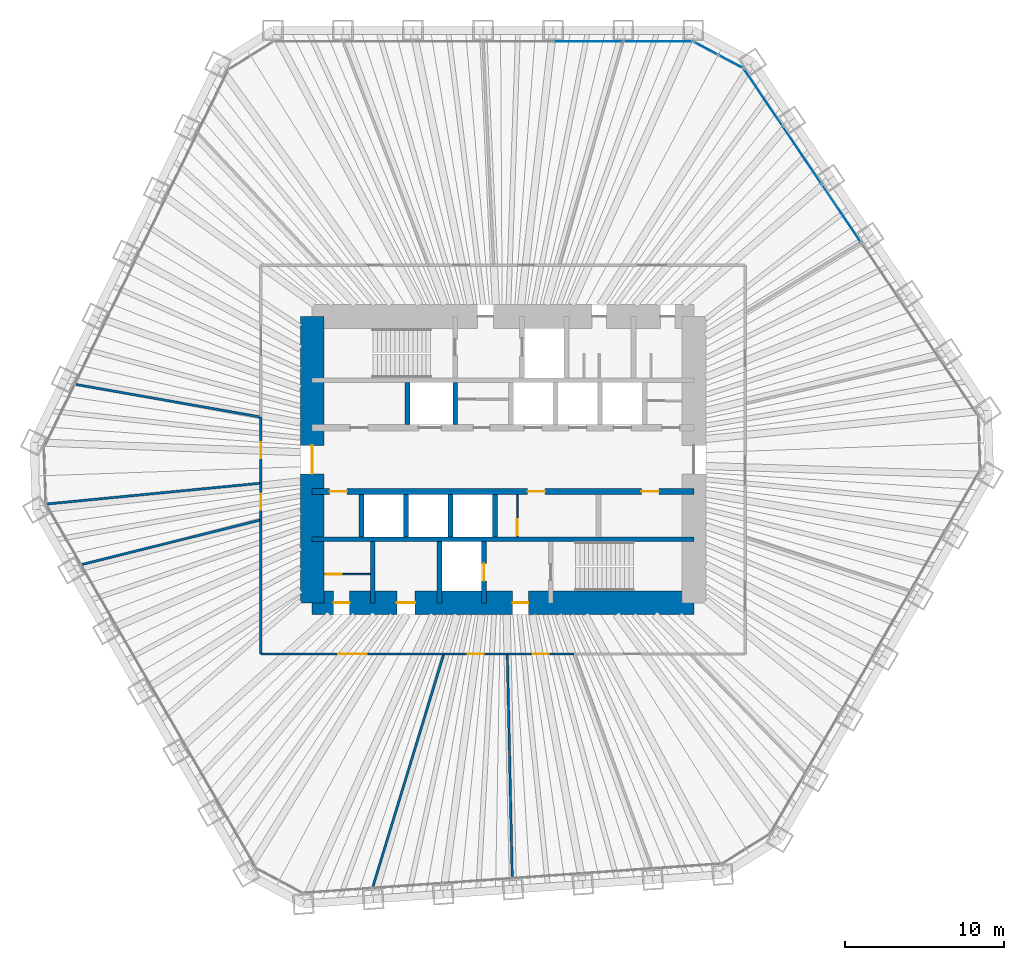
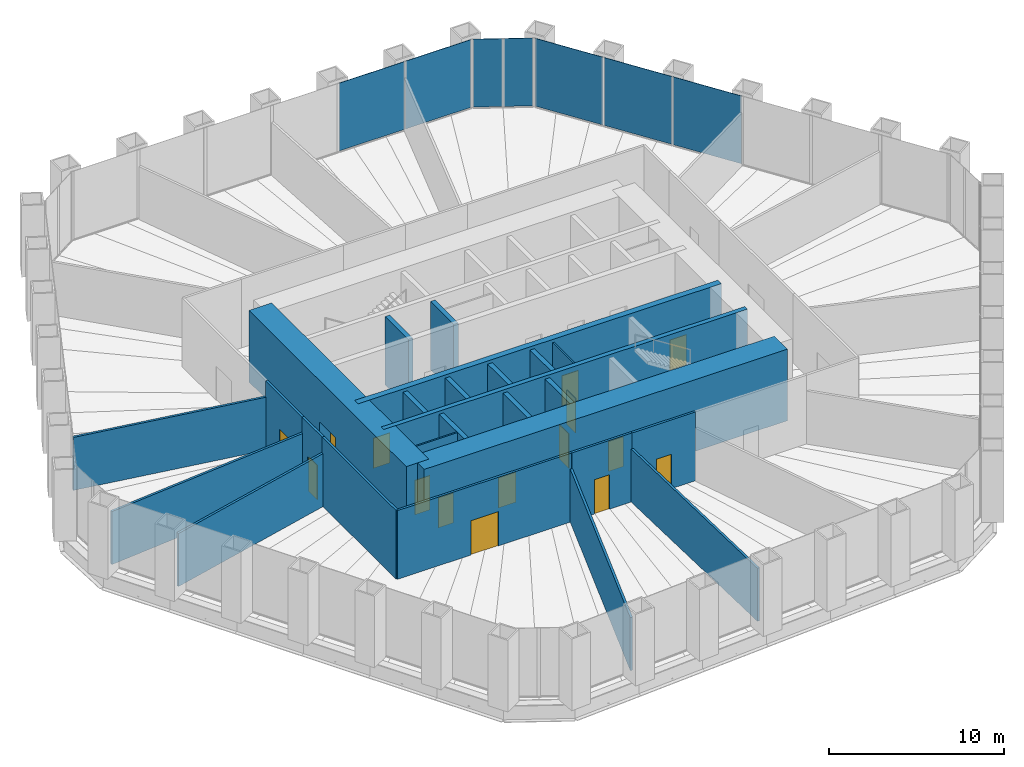
# One storey, part 10 of 13: 26 walls, 15 doors, 7 plates, 15 openings, 3 elements without a shape of their own.
"""IFC4 building model written with IfcOpenShell, lengths in metres."""

from ifc_helpers import new_model, si_unit, direction, frame, frame_2d, origin, origin_2d, place, context, subcontext, project, spatial, rectangle, extrude, material, layer, layer_set, type_object, element, fill, aggregate, save


model = new_model("IFC4")

# Units and contexts
model_context = context("Model", 3, precision=1e-05, world=origin(), true_north=direction((0.0, 1.0)))
body_context = subcontext(model_context, "Body", "Model", "MODEL_VIEW")
ifc_project = project(units=[si_unit("LENGTHUNIT", "METRE"), si_unit("AREAUNIT", "SQUARE_METRE"), si_unit("VOLUMEUNIT", "CUBIC_METRE"), si_unit("PLANEANGLEUNIT", "RADIAN"), si_unit("MASSUNIT", "GRAM", prefix="KILO")], contexts=[model_context])

# Site, building, storey
site_placement = place(None, origin())
site = spatial("IfcSite", under=ifc_project, at=site_placement, CompositionType="ELEMENT")
building_placement = place(site_placement, origin())
building = spatial("IfcBuilding", under=site, at=building_placement, Name="Qingtian Harvest Tower", CompositionType="ELEMENT")
storey_placement = place(building_placement, frame((0.0, 0.0, 27.0)))
storey = spatial("IfcBuildingStorey", under=building, at=storey_placement, Name="L05", CompositionType="ELEMENT", Elevation=27.0)

# Curtain wall, plates
ifc_material_1 = material(Name="Bronze-anodised aluminium curtain wall", Category="aluminium")
curtain_wall_type = type_object("IfcCurtainWallType", Name="Curtain wall CW2 farm reception", PredefinedType="USERDEFINED", material=ifc_material_1)
curtain_wall_1_placement = place(storey_placement, origin())
curtain_wall_1 = element("IfcCurtainWall", 1, at=curtain_wall_1_placement, inside=storey, type_object=curtain_wall_type, Name="Curtain wall CW2 L05 N0-5", ObjectType="RECESSED CURTAIN WALL", PredefinedType="USERDEFINED")
ifc_material_2 = material(Name="Bronze-tinted laminated insulating glass", Category="glass")
ifc_layer_1 = layer(ifc_material_2, 0.030029296875)
ifc_layer_set_1 = layer_set([ifc_layer_1], Name="Glazed panel CWP tinted IGU")
plate_type = type_object("IfcPlateType", Name="Glazed panel CWP tinted IGU", PredefinedType="CURTAIN_PANEL", material=ifc_layer_set_1)
plate_1_placement = place(storey_placement, frame((5.349365234375, 26.300048828125, 0.06494140625), z_axis=(0.0, 0.0, 1.0), x_axis=(1.0, 0.0, 0.0)))
plate_1 = element("IfcPlate", 2, at=plate_1_placement, type_object=plate_type, Name="CW2 panel 5.1", PredefinedType="CURTAIN_PANEL", context=body_context, shape_type="SweptSolid", body=[
    extrude(rectangle(XDim=4.339599609375, YDim=0.030029296875, at=origin_2d()), origin(), (0.0, 0.0, 1.0), 4.735107421875),
])
plate_2_placement = place(storey_placement, frame((9.737548828125, 26.300048828125, 0.06494140625), z_axis=(0.0, 0.0, 1.0), x_axis=(1.0, 0.0, 0.0)))
plate_2 = element("IfcPlate", 3, at=plate_2_placement, type_object=plate_type, Name="CW2 panel 6.1", PredefinedType="CURTAIN_PANEL", context=body_context, shape_type="SweptSolid", body=[
    extrude(rectangle(XDim=4.30712890625, YDim=0.030029296875, at=origin_2d()), origin(), (0.0, 0.0, 1.0), 4.735107421875),
])
aggregate(curtain_wall_1, [plate_1, plate_2])

curtain_wall_2_placement = place(storey_placement, origin())
curtain_wall_2 = element("IfcCurtainWall", 4, at=curtain_wall_2_placement, inside=storey, type_object=curtain_wall_type, Name="Curtain wall CW2 L05 NC", ObjectType="RECESSED CURTAIN WALL", PredefinedType="USERDEFINED")
plate_3_placement = place(storey_placement, frame((12.760986328125, 25.8720703125, 0.06494140625), z_axis=(0.0, 0.0, 1.0), x_axis=(0.882947592859, -0.469471562786, 0.0)))
plate_3 = element("IfcPlate", 5, at=plate_3_placement, type_object=plate_type, Name="CW2 panel 1.1", PredefinedType="CURTAIN_PANEL", context=body_context, shape_type="SweptSolid", body=[
    extrude(rectangle(XDim=1.69287109375, YDim=0.030029296875, at=origin_2d()), origin(), (0.0, 0.0, 1.0), 4.735107421875),
])
plate_4_placement = place(storey_placement, frame((14.31298828125, 25.046875, 0.06494140625), z_axis=(0.0, 0.0, 1.0), x_axis=(0.882947592859, -0.469471562786, 0.0)))
plate_4 = element("IfcPlate", 6, at=plate_4_placement, type_object=plate_type, Name="CW2 panel 2.1", PredefinedType="CURTAIN_PANEL", context=body_context, shape_type="SweptSolid", body=[
    extrude(rectangle(XDim=1.69287109375, YDim=0.030029296875, at=origin_2d()), origin(), (0.0, 0.0, 1.0), 4.735107421875),
])
aggregate(curtain_wall_2, [plate_3, plate_4])

curtain_wall_3_placement = place(storey_placement, origin())
curtain_wall_3 = element("IfcCurtainWall", 7, at=curtain_wall_3_placement, inside=storey, type_object=curtain_wall_type, Name="Curtain wall CW2 L05 NE0-5", ObjectType="RECESSED CURTAIN WALL", PredefinedType="USERDEFINED")
plate_5_placement = place(storey_placement, frame((16.3583984375, 22.779541015625, 0.06494140625), z_axis=(0.0, 0.0, 1.0), x_axis=(0.559192903471, -0.829037572555, 0.0)))
plate_5 = element("IfcPlate", 8, at=plate_5_placement, type_object=plate_type, Name="CW2 panel 1.1", PredefinedType="CURTAIN_PANEL", context=body_context, shape_type="SweptSolid", body=[
    extrude(rectangle(XDim=4.30712890625, YDim=0.030029296875, at=origin_2d()), origin(), (0.0, 0.0, 1.0), 4.735107421875),
])
plate_6_placement = place(storey_placement, frame((18.8125, 19.1416015625, 0.06494140625), z_axis=(0.0, 0.0, 1.0), x_axis=(0.559192903471, -0.829037572555, 0.0)))
plate_6 = element("IfcPlate", 9, at=plate_6_placement, type_object=plate_type, Name="CW2 panel 2.1", PredefinedType="CURTAIN_PANEL", context=body_context, shape_type="SweptSolid", body=[
    extrude(rectangle(XDim=4.339599609375, YDim=0.030029296875, at=origin_2d()), origin(), (0.0, 0.0, 1.0), 4.735107421875),
])
plate_7_placement = place(storey_placement, frame((21.275390625, 15.489990234375, 0.06494140625), z_axis=(0.0, 0.0, 1.0), x_axis=(0.559192903471, -0.829037572555, 0.0)))
plate_7 = element("IfcPlate", 10, at=plate_7_placement, type_object=plate_type, Name="CW2 panel 3.1", PredefinedType="CURTAIN_PANEL", context=body_context, shape_type="SweptSolid", body=[
    extrude(rectangle(XDim=4.339599609375, YDim=0.030029296875, at=origin_2d()), origin(), (0.0, 0.0, 1.0), 4.735107421875),
])
aggregate(curtain_wall_3, [plate_5, plate_6, plate_7])

# Wall
ifc_material_3 = material(Name="Concrete fc' 70 MPa", Category="concrete")
ifc_layer_2 = layer(ifc_material_3, 0.300048828125)
ifc_layer_set_2 = layer_set([ifc_layer_2], Name="Core inner wall RC5 300")
wall_type_1 = type_object("IfcWallType", Name="Core inner wall RC5 300", PredefinedType="SHEAR", material=ifc_layer_set_2)
wall_1_placement = place(storey_placement, frame((-12.0, -5.0, 0.0), z_axis=(0.0, 0.0, 1.0), x_axis=(1.0, 0.0, 0.0)))
element("IfcWall", 11, at=wall_1_placement, inside=storey, type_object=wall_type_1, Name="Core wall IS5 L05", PredefinedType="SHEAR", context=body_context, shape_type="SweptSolid", body=[
    extrude(rectangle(XDim=24.0, YDim=0.300048828125, at=frame_2d((12.0, 0.0))), origin(), (0.0, 0.0, 1.0), 5.0),
])

# Wall, openings, doors
ifc_material_4 = material(Name="Concrete fc' 70 MPa", Category="concrete")
ifc_layer_3 = layer(ifc_material_4, 0.39990234375)
ifc_layer_set_3 = layer_set([ifc_layer_3], Name="Core inner web RC6 400")
wall_type_2 = type_object("IfcWallType", Name="Core inner web RC6 400", PredefinedType="SHEAR", material=ifc_layer_set_3)
wall_2_placement = place(storey_placement, frame((-12.0, -2.0, 0.0), z_axis=(0.0, 0.0, 1.0), x_axis=(1.0, 0.0, 0.0)))
wall_2 = element("IfcWall", 12, at=wall_2_placement, inside=storey, type_object=wall_type_2, Name="Core wall IS2 L05", PredefinedType="SHEAR", context=body_context, shape_type="SweptSolid", body=[
    extrude(rectangle(XDim=24.0, YDim=0.39990234375, at=frame_2d((12.0, 0.0))), origin(), (0.0, 0.0, 1.0), 5.0),
])
opening_1_placement = place(wall_2_placement, frame((1.10009765625, 0.0, 0.0)))
opening_1 = element("IfcOpeningElement", 13, at=opening_1_placement, cuts=wall_2, Name="Opening FD4", PredefinedType="OPENING", context=body_context, shape_type="SweptSolid", body=[
    extrude(rectangle(XDim=1.10009765625, YDim=2.10009765625, at=frame_2d((0.550048828125, 1.050048828125))), frame((0.0, 0.2099609375, 0.0), z_axis=(0.0, -1.0, 0.0), x_axis=(1.0, 0.0, 0.0)), (0.0, 0.0, 1.0), 0.419921875),
])
opening_2_placement = place(wall_2_placement, frame((13.550048828125, 0.0, 0.0)))
opening_2 = element("IfcOpeningElement", 14, at=opening_2_placement, cuts=wall_2, Name="Opening FD4", PredefinedType="OPENING", context=body_context, shape_type="SweptSolid", body=[
    extrude(rectangle(XDim=1.10009765625, YDim=2.10009765625, at=frame_2d((0.550048828125, 1.050048828125))), frame((0.0, 0.2099609375, 0.0), z_axis=(0.0, -1.0, 0.0), x_axis=(1.0, 0.0, 0.0)), (0.0, 0.0, 1.0), 0.419921875),
])
opening_3_placement = place(wall_2_placement, frame((20.699951171875, 0.0, 0.0)))
opening_3 = element("IfcOpeningElement", 15, at=opening_3_placement, cuts=wall_2, Name="Opening FD4", PredefinedType="OPENING", context=body_context, shape_type="SweptSolid", body=[
    extrude(rectangle(XDim=1.10009765625, YDim=2.10009765625, at=frame_2d((0.550048828125, 1.050048828125))), frame((0.0, 0.2099609375, 0.0), z_axis=(0.0, -1.0, 0.0), x_axis=(1.0, 0.0, 0.0)), (0.0, 0.0, 1.0), 0.419921875),
])
ifc_material_5 = material(Name="Steel-faced door leaf", Category="steel")
door_type_1 = type_object("IfcDoorType", Name="Fire door FD4 single 2 HR", OperationType="SINGLE_SWING_LEFT", PredefinedType="DOOR", material=ifc_material_5)
door_1_placement = place(opening_1_placement, origin())
door_1 = element("IfcDoor", 16, at=door_1_placement, inside=storey, type_object=door_type_1, Name="RB door L05", OperationType="SINGLE_SWING_LEFT", OverallHeight=2.10009765625, OverallWidth=1.10009765625, PredefinedType="DOOR", context=body_context, shape_type="SweptSolid", body=[
    extrude(rectangle(XDim=1.10009765625, YDim=2.10009765625, at=frame_2d((0.550048828125, 1.050048828125))), frame((0.0, 0.02490234375, 0.0), z_axis=(0.0, -1.0, 0.0), x_axis=(1.0, 0.0, 0.0)), (0.0, 0.0, 1.0), 0.050048828125),
])
fill(opening_1, door_1)
door_2_placement = place(opening_2_placement, origin())
door_2 = element("IfcDoor", 17, at=door_2_placement, inside=storey, type_object=door_type_1, Name="ELEC door L05", OperationType="SINGLE_SWING_RIGHT", OverallHeight=2.10009765625, OverallWidth=1.10009765625, PredefinedType="DOOR", context=body_context, shape_type="SweptSolid", body=[
    extrude(rectangle(XDim=1.10009765625, YDim=2.10009765625, at=frame_2d((0.550048828125, 1.050048828125))), frame((0.0, 0.02490234375, 0.0), z_axis=(0.0, -1.0, 0.0), x_axis=(1.0, 0.0, 0.0)), (0.0, 0.0, 1.0), 0.050048828125),
])
fill(opening_2, door_2)
door_3_placement = place(opening_3_placement, origin())
door_3 = element("IfcDoor", 18, at=door_3_placement, inside=storey, type_object=door_type_1, Name="DUCT door L05", OperationType="SINGLE_SWING_LEFT", OverallHeight=2.10009765625, OverallWidth=1.10009765625, PredefinedType="DOOR", context=body_context, shape_type="SweptSolid", body=[
    extrude(rectangle(XDim=1.10009765625, YDim=2.10009765625, at=frame_2d((0.550048828125, 1.050048828125))), frame((0.0, 0.02490234375, 0.0), z_axis=(0.0, -1.0, 0.0), x_axis=(1.0, 0.0, 0.0)), (0.0, 0.0, 1.0), 0.050048828125),
])
fill(opening_3, door_3)

# Walls
ifc_material_6 = material(Name="Precast concrete shaft panel", Category="concrete")
ifc_layer_4 = layer(ifc_material_6, 0.300048828125)
ifc_layer_set_4 = layer_set([ifc_layer_4], Name="Core shaft partition SW1 300")
wall_type_3 = type_object("IfcWallType", Name="Core shaft partition SW1 300", PredefinedType="PARTITIONING", material=ifc_layer_set_4)
for number, where, z_axis, x_axis, name in (
    (19, (-6.0, 2.199951171875, 0.0), (0.0, 0.0, 1.0), (0.0, 1.0, 0.0), "Core shaft partition XA1 L05"),
    (20, (-3.0, 2.199951171875, 0.0), (0.0, 0.0, 1.0), (0.0, 1.0, 0.0), "Core shaft partition XA2 L05"),
    (21, (-8.89990234375, -4.85009765625, 0.0), (0.0, 0.0, 1.0), (0.0, 1.0, 0.0), "Core shaft partition XB1 L05"),
    (22, (-6.10009765625, -4.85009765625, 0.0), (0.0, 0.0, 1.0), (0.0, 1.0, 0.0), "Core shaft partition XB2 L05"),
    (23, (-3.300048828125, -4.85009765625, 0.0), (0.0, 0.0, 1.0), (0.0, 1.0, 0.0), "Core shaft partition XB3 L05"),
    (24, (-0.5, -4.85009765625, 0.0), (0.0, 0.0, 1.0), (0.0, 1.0, 0.0), "Core shaft partition XB4 L05"),
):
    element("IfcWall", number, at=place(storey_placement, frame(where, z_axis=z_axis, x_axis=x_axis)), inside=storey, type_object=wall_type_3, Name=name, PredefinedType="PARTITIONING", context=body_context, shape_type="SweptSolid", body=[
        extrude(rectangle(XDim=2.650146484375, YDim=0.300048828125, at=frame_2d((1.3251953125, 0.0))), origin(), (0.0, 0.0, 1.0), 4.780029296875),
    ])
for number, where, z_axis, x_axis, name in (
    (25, (-8.199951171875, -9.0, 0.0), (0.0, 0.0, 1.0), (0.0, 1.0, 0.0), "Core shaft partition XS1 L05"),
    (26, (-4.0, -9.0, 0.0), (0.0, 0.0, 1.0), (0.0, 1.0, 0.0), "Core shaft partition XS2 L05"),
):
    element("IfcWall", number, at=place(storey_placement, frame(where, z_axis=z_axis, x_axis=x_axis)), inside=storey, type_object=wall_type_3, Name=name, PredefinedType="PARTITIONING", context=body_context, shape_type="SweptSolid", body=[
        extrude(rectangle(XDim=3.85009765625, YDim=0.300048828125, at=frame_2d((1.925048828125, 0.0))), origin(), (0.0, 0.0, 1.0), 4.780029296875),
    ])

# Wall, opening, door
wall_3_placement = place(storey_placement, frame((-1.199951171875, -9.0, 0.0), z_axis=(0.0, 0.0, 1.0), x_axis=(0.0, 1.0, 0.0)))
wall_3 = element("IfcWall", 27, at=wall_3_placement, inside=storey, type_object=wall_type_3, Name="Core shaft partition XS3 L05", PredefinedType="PARTITIONING", context=body_context, shape_type="SweptSolid", body=[
    extrude(rectangle(XDim=3.85009765625, YDim=0.300048828125, at=frame_2d((1.925048828125, 0.0))), origin(), (0.0, 0.0, 1.0), 4.780029296875),
])
opening_4_placement = place(wall_3_placement, frame((1.375, 0.0, 0.0)))
opening_4 = element("IfcOpeningElement", 28, at=opening_4_placement, cuts=wall_3, Name="Opening LD1", PredefinedType="OPENING", context=body_context, shape_type="SweptSolid", body=[
    extrude(rectangle(XDim=1.10009765625, YDim=2.39990234375, at=frame_2d((0.550048828125, 1.199951171875))), frame((0.0, 0.159912109375, 0.0), z_axis=(0.0, -1.0, 0.0), x_axis=(1.0, 0.0, 0.0)), (0.0, 0.0, 1.0), 0.320068359375),
])
ifc_material_7 = material(Name="Stainless steel lift landing door", Category="steel")
door_type_2 = type_object("IfcDoorType", Name="Lift landing door LD1 1 HR", OperationType="DOUBLE_DOOR_SLIDING", PredefinedType="DOOR", material=ifc_material_7)
door_4_placement = place(opening_4_placement, origin())
door_4 = element("IfcDoor", 29, at=door_4_placement, inside=storey, type_object=door_type_2, Name="FL2 landing door L05", OperationType="DOUBLE_DOOR_SLIDING", OverallHeight=2.39990234375, OverallWidth=1.10009765625, PredefinedType="DOOR", context=body_context, shape_type="SweptSolid", body=[
    extrude(rectangle(XDim=1.10009765625, YDim=2.39990234375, at=frame_2d((0.550048828125, 1.199951171875))), frame((0.0, 0.02490234375, 0.0), z_axis=(0.0, -1.0, 0.0), x_axis=(1.0, 0.0, 0.0)), (0.0, 0.0, 1.0), 0.050048828125),
])
fill(opening_4, door_4)

# Wall, openings, doors
ifc_material_8 = material(Name="Concrete fc' 70 MPa", Category="concrete")
ifc_layer_5 = layer(ifc_material_8, 1.5)
ifc_layer_set_5 = layer_set([ifc_layer_5], Name="Core wall RC1 1500")
wall_type_4 = type_object("IfcWallType", Name="Core wall RC1 1500", PredefinedType="SHEAR", material=ifc_layer_set_5)
wall_4_placement = place(storey_placement, frame((-12.0, -9.0, 0.0), z_axis=(0.0, 0.0, 1.0), x_axis=(1.0, 0.0, 0.0)))
wall_4 = element("IfcWall", 30, at=wall_4_placement, inside=storey, type_object=wall_type_4, Name="Core wall CS L05", PredefinedType="SHEAR", context=body_context, shape_type="SweptSolid", body=[
    extrude(rectangle(XDim=24.0, YDim=1.5, at=frame_2d((12.0, 0.0))), origin(), (0.0, 0.0, 1.0), 5.0),
])
opening_5_placement = place(wall_4_placement, frame((1.35009765625, 0.0, 0.0)))
opening_5 = element("IfcOpeningElement", 31, at=opening_5_placement, cuts=wall_4, Name="Opening FD1", PredefinedType="OPENING", context=body_context, shape_type="SweptSolid", body=[
    extrude(rectangle(XDim=1.0, YDim=2.10009765625, at=frame_2d((0.5, 1.050048828125))), frame((0.0, 0.760009765625, 0.0), z_axis=(0.0, -1.0, 0.0), x_axis=(1.0, 0.0, 0.0)), (0.0, 0.0, 1.0), 1.52001953125),
])
opening_6_placement = place(wall_4_placement, frame((5.324951171875, 0.0, 0.0)))
opening_6 = element("IfcOpeningElement", 32, at=opening_6_placement, cuts=wall_4, Name="Opening AD1", PredefinedType="OPENING", context=body_context, shape_type="SweptSolid", body=[
    extrude(rectangle(XDim=1.14990234375, YDim=2.10009765625, at=frame_2d((0.574951171875, 1.050048828125))), frame((0.0, 0.760009765625, 0.0), z_axis=(0.0, -1.0, 0.0), x_axis=(1.0, 0.0, 0.0)), (0.0, 0.0, 1.0), 1.52001953125),
])
opening_7_placement = place(wall_4_placement, frame((12.60009765625, 0.0, 0.0)))
opening_7 = element("IfcOpeningElement", 33, at=opening_7_placement, cuts=wall_4, Name="Opening FD1", PredefinedType="OPENING", context=body_context, shape_type="SweptSolid", body=[
    extrude(rectangle(XDim=1.0, YDim=2.10009765625, at=frame_2d((0.5, 1.050048828125))), frame((0.0, 0.760009765625, 0.0), z_axis=(0.0, -1.0, 0.0), x_axis=(1.0, 0.0, 0.0)), (0.0, 0.0, 1.0), 1.52001953125),
])
ifc_material_9 = material(Name="Laminated timber door leaf", Category="wood")
door_type_3 = type_object("IfcDoorType", Name="Accessible WC door AD1 single", OperationType="SINGLE_SWING_LEFT", PredefinedType="DOOR", material=ifc_material_9)
door_5_placement = place(opening_6_placement, origin())
door_5 = element("IfcDoor", 34, at=door_5_placement, inside=storey, type_object=door_type_3, Name="AWC door L05", OperationType="SINGLE_SWING_LEFT", OverallHeight=2.10009765625, OverallWidth=1.14990234375, PredefinedType="DOOR", context=body_context, shape_type="SweptSolid", body=[
    extrude(rectangle(XDim=1.14990234375, YDim=2.10009765625, at=frame_2d((0.574951171875, 1.050048828125))), frame((0.0, 0.02490234375, 0.0), z_axis=(0.0, -1.0, 0.0), x_axis=(1.0, 0.0, 0.0)), (0.0, 0.0, 1.0), 0.050048828125),
])
fill(opening_6, door_5)
ifc_material_10 = material(Name="Steel-faced door leaf", Category="steel")
door_type_4 = type_object("IfcDoorType", Name="Fire door FD1 single 1 HR", OperationType="SINGLE_SWING_LEFT", PredefinedType="DOOR", material=ifc_material_10)
door_6_placement = place(opening_5_placement, origin())
door_6 = element("IfcDoor", 35, at=door_6_placement, inside=storey, type_object=door_type_4, Name="CLN door L05", OperationType="SINGLE_SWING_RIGHT", OverallHeight=2.10009765625, OverallWidth=1.0, PredefinedType="DOOR", context=body_context, shape_type="SweptSolid", body=[
    extrude(rectangle(XDim=1.0, YDim=2.10009765625, at=frame_2d((0.5, 1.050048828125))), frame((0.0, 0.02490234375, 0.0), z_axis=(0.0, -1.0, 0.0), x_axis=(1.0, 0.0, 0.0)), (0.0, 0.0, 1.0), 0.050048828125),
])
fill(opening_5, door_6)
door_7_placement = place(opening_7_placement, origin())
door_7 = element("IfcDoor", 36, at=door_7_placement, inside=storey, type_object=door_type_4, Name="V2 door L05", OperationType="SINGLE_SWING_RIGHT", OverallHeight=2.10009765625, OverallWidth=1.0, PredefinedType="DOOR", context=body_context, shape_type="SweptSolid", body=[
    extrude(rectangle(XDim=1.0, YDim=2.10009765625, at=frame_2d((0.5, 1.050048828125))), frame((0.0, 0.02490234375, 0.0), z_axis=(0.0, -1.0, 0.0), x_axis=(1.0, 0.0, 0.0)), (0.0, 0.0, 1.0), 0.050048828125),
])
fill(opening_7, door_7)

# Wall, opening, door
wall_5_placement = place(storey_placement, frame((-12.0, -9.0, 0.0), z_axis=(0.0, 0.0, 1.0), x_axis=(0.0, 1.0, 0.0)))
wall_5 = element("IfcWall", 37, at=wall_5_placement, inside=storey, type_object=wall_type_4, Name="Core wall CW L05", PredefinedType="SHEAR", context=body_context, shape_type="SweptSolid", body=[
    extrude(rectangle(XDim=18.0, YDim=1.5, at=frame_2d((9.0, 0.0))), origin(), (0.0, 0.0, 1.0), 5.0),
])
opening_8_placement = place(wall_5_placement, frame((8.10009765625, 0.0, 0.0)))
opening_8 = element("IfcOpeningElement", 38, at=opening_8_placement, cuts=wall_5, Name="Opening FD2", PredefinedType="OPENING", context=body_context, shape_type="SweptSolid", body=[
    extrude(rectangle(XDim=1.800048828125, YDim=2.10009765625, at=frame_2d((0.89990234375, 1.050048828125))), frame((0.0, 0.760009765625, 0.0), z_axis=(0.0, -1.0, 0.0), x_axis=(1.0, 0.0, 0.0)), (0.0, 0.0, 1.0), 1.52001953125),
])
ifc_material_11 = material(Name="Steel-faced door leaf", Category="steel")
door_type_5 = type_object("IfcDoorType", Name="Fire door FD2 double 1 HR", OperationType="DOUBLE_DOOR_DOUBLE_SWING", PredefinedType="DOOR", material=ifc_material_11)
door_8_placement = place(opening_8_placement, origin())
door_8 = element("IfcDoor", 39, at=door_8_placement, inside=storey, type_object=door_type_5, Name="LOBBY-W door L05", OperationType="DOUBLE_DOOR_DOUBLE_SWING", OverallHeight=2.10009765625, OverallWidth=1.800048828125, PredefinedType="DOOR", context=body_context, shape_type="SweptSolid", body=[
    extrude(rectangle(XDim=1.800048828125, YDim=2.10009765625, at=frame_2d((0.89990234375, 1.050048828125))), frame((0.0, 0.02490234375, 0.0), z_axis=(0.0, -1.0, 0.0), x_axis=(1.0, 0.0, 0.0)), (0.0, 0.0, 1.0), 0.050048828125),
])
fill(opening_8, door_8)

ifc_material_12 = material(Name="Gypsum board on steel studs", Category="steel")
ifc_layer_6 = layer(ifc_material_12, 0.14990234375)
ifc_layer_set_6 = layer_set([ifc_layer_6], Name="Partition PT1 150")
wall_type_5 = type_object("IfcWallType", Name="Partition PT1 150", PredefinedType="PARTITIONING", material=ifc_layer_set_6)
wall_6_placement = place(storey_placement, frame((4.45458984375, -12.22509765625, 0.0), z_axis=(0.0, 0.0, 1.0), x_axis=(-1.0, 0.0, 0.0)))
wall_6 = element("IfcWall", 40, at=wall_6_placement, inside=storey, type_object=wall_type_5, Name="Propagation room wall L05", PredefinedType="PARTITIONING", context=body_context, shape_type="SweptSolid", body=[
    extrude(rectangle(XDim=4.185302734375, YDim=0.14990234375, at=frame_2d((2.0927734375, 0.0))), origin(), (0.0, 0.0, 1.0), 4.800048828125),
])
opening_9_placement = place(wall_6_placement, frame((1.592529296875, 0.0, 0.0)))
opening_9 = element("IfcOpeningElement", 41, at=opening_9_placement, cuts=wall_6, Name="Opening D2", PredefinedType="OPENING", context=body_context, shape_type="SweptSolid", body=[
    extrude(rectangle(XDim=1.0, YDim=2.39990234375, at=frame_2d((0.5, 1.199951171875))), frame((0.0, 0.0849609375, 0.0), z_axis=(0.0, -1.0, 0.0), x_axis=(1.0, 0.0, 0.0)), (0.0, 0.0, 1.0), 0.169921875),
])
ifc_material_13 = material(Name="Laminated timber door leaf", Category="wood")
door_type_6 = type_object("IfcDoorType", Name="Room door D2 single", OperationType="SINGLE_SWING_LEFT", PredefinedType="DOOR", material=ifc_material_13)
door_9_placement = place(opening_9_placement, origin())
door_9 = element("IfcDoor", 42, at=door_9_placement, inside=storey, type_object=door_type_6, Name="Propagation room door L05", OperationType="SINGLE_SWING_LEFT", OverallHeight=2.39990234375, OverallWidth=1.0, PredefinedType="DOOR", context=body_context, shape_type="SweptSolid", body=[
    extrude(rectangle(XDim=1.0, YDim=2.39990234375, at=frame_2d((0.5, 1.199951171875))), frame((0.0, 0.02490234375, 0.0), z_axis=(0.0, -1.0, 0.0), x_axis=(1.0, 0.0, 0.0)), (0.0, 0.0, 1.0), 0.050048828125),
])
fill(opening_9, door_9)

# Wall
wall_7_placement = place(storey_placement, frame((0.577880859375, -26.2236328125, 0.0), z_axis=(0.0, 0.0, 1.0), x_axis=(-0.022039362711, 0.999757103746, 0.0)))
element("IfcWall", 43, at=wall_7_placement, inside=storey, type_object=wall_type_5, Name="Grafting room wall L05", PredefinedType="PARTITIONING", context=body_context, shape_type="SweptSolid", body=[
    extrude(rectangle(XDim=14.001953125, YDim=0.14990234375, at=frame_2d((7.0009765625, 0.0))), origin(), (0.0, 0.0, 1.0), 3.699951171875),
])

# Wall, opening, door
wall_8_placement = place(storey_placement, frame((0.269287109375, -12.22509765625, 0.0), z_axis=(0.0, 0.0, 1.0), x_axis=(-1.0, 0.0, 0.0)))
wall_8 = element("IfcWall", 44, at=wall_8_placement, inside=storey, type_object=wall_type_5, Name="Grafting room wall L05", PredefinedType="PARTITIONING", context=body_context, shape_type="SweptSolid", body=[
    extrude(rectangle(XDim=3.994140625, YDim=0.14990234375, at=frame_2d((1.9970703125, 0.0))), origin(), (0.0, 0.0, 1.0), 4.800048828125),
])
opening_10_placement = place(wall_8_placement, frame((1.4970703125, 0.0, 0.0)))
opening_10 = element("IfcOpeningElement", 45, at=opening_10_placement, cuts=wall_8, Name="Opening D2", PredefinedType="OPENING", context=body_context, shape_type="SweptSolid", body=[
    extrude(rectangle(XDim=1.0, YDim=2.39990234375, at=frame_2d((0.5, 1.199951171875))), frame((0.0, 0.0849609375, 0.0), z_axis=(0.0, -1.0, 0.0), x_axis=(1.0, 0.0, 0.0)), (0.0, 0.0, 1.0), 0.169921875),
])
door_10_placement = place(opening_10_placement, origin())
door_10 = element("IfcDoor", 46, at=door_10_placement, inside=storey, type_object=door_type_6, Name="Grafting room door L05", OperationType="SINGLE_SWING_LEFT", OverallHeight=2.39990234375, OverallWidth=1.0, PredefinedType="DOOR", context=body_context, shape_type="SweptSolid", body=[
    extrude(rectangle(XDim=1.0, YDim=2.39990234375, at=frame_2d((0.5, 1.199951171875))), frame((0.0, 0.02490234375, 0.0), z_axis=(0.0, -1.0, 0.0), x_axis=(1.0, 0.0, 0.0)), (0.0, 0.0, 1.0), 0.050048828125),
])
fill(opening_10, door_10)

# Wall
wall_9_placement = place(storey_placement, frame((-8.1787109375, -26.842529296875, 0.0), z_axis=(0.0, 0.0, 1.0), x_axis=(0.291465492753, 0.956581343397, 0.0)))
element("IfcWall", 47, at=wall_9_placement, inside=storey, type_object=wall_type_5, Name="Transplanting room wall L05", PredefinedType="PARTITIONING", context=body_context, shape_type="SweptSolid", body=[
    extrude(rectangle(XDim=15.281005859375, YDim=0.14990234375, at=frame_2d((7.640625, 0.0))), origin(), (0.0, 0.0, 1.0), 3.699951171875),
])

# Wall, opening, door
wall_10_placement = place(storey_placement, frame((-3.724853515625, -12.22509765625, 0.0), z_axis=(0.0, 0.0, 1.0), x_axis=(-1.0, 0.0, 0.0)))
wall_10 = element("IfcWall", 48, at=wall_10_placement, inside=storey, type_object=wall_type_5, Name="Transplanting room wall L05", PredefinedType="PARTITIONING", context=body_context, shape_type="SweptSolid", body=[
    extrude(rectangle(XDim=11.500244140625, YDim=0.14990234375, at=frame_2d((5.75, 0.0))), origin(), (0.0, 0.0, 1.0), 4.800048828125),
])
opening_11_placement = place(wall_10_placement, frame((4.85009765625, 0.0, 0.0)))
opening_11 = element("IfcOpeningElement", 49, at=opening_11_placement, cuts=wall_10, Name="Opening D3", PredefinedType="OPENING", context=body_context, shape_type="SweptSolid", body=[
    extrude(rectangle(XDim=1.800048828125, YDim=2.39990234375, at=frame_2d((0.89990234375, 1.199951171875))), frame((0.0, 0.0849609375, 0.0), z_axis=(0.0, -1.0, 0.0), x_axis=(1.0, 0.0, 0.0)), (0.0, 0.0, 1.0), 0.169921875),
])
ifc_material_14 = material(Name="Laminated timber door leaf", Category="wood")
door_type_7 = type_object("IfcDoorType", Name="Room door D3 double", OperationType="DOUBLE_DOOR_DOUBLE_SWING", PredefinedType="DOOR", material=ifc_material_14)
door_11_placement = place(opening_11_placement, origin())
door_11 = element("IfcDoor", 50, at=door_11_placement, inside=storey, type_object=door_type_7, Name="Transplanting room door L05", OperationType="DOUBLE_DOOR_DOUBLE_SWING", OverallHeight=2.39990234375, OverallWidth=1.800048828125, PredefinedType="DOOR", context=body_context, shape_type="SweptSolid", body=[
    extrude(rectangle(XDim=1.800048828125, YDim=2.39990234375, at=frame_2d((0.89990234375, 1.199951171875))), frame((0.0, 0.02490234375, 0.0), z_axis=(0.0, -1.0, 0.0), x_axis=(1.0, 0.0, 0.0)), (0.0, 0.0, 1.0), 0.050048828125),
])
fill(opening_11, door_11)

# Walls
wall_11_placement = place(storey_placement, frame((-15.22509765625, -12.22509765625, 0.0), z_axis=(0.0, 0.0, 1.0), x_axis=(0.0, 1.0, 0.0)))
element("IfcWall", 51, at=wall_11_placement, inside=storey, type_object=wall_type_5, Name="Transplanting room wall L05", PredefinedType="PARTITIONING", context=body_context, shape_type="SweptSolid", body=[
    extrude(rectangle(XDim=8.434814453125, YDim=0.14990234375, at=frame_2d((4.21728515625, 0.0))), origin(), (0.0, 0.0, 1.0), 4.800048828125),
])
wall_12_placement = place(storey_placement, frame((-26.455322265625, -6.5859375, 0.0), z_axis=(0.0, 0.0, 1.0), x_axis=(0.970383998101, 0.241567581083, 0.0)))
element("IfcWall", 52, at=wall_12_placement, inside=storey, type_object=wall_type_5, Name="Gowning room wall L05", PredefinedType="PARTITIONING", context=body_context, shape_type="SweptSolid", body=[
    extrude(rectangle(XDim=11.572998046875, YDim=0.14990234375, at=frame_2d((5.78662109375, 0.0))), origin(), (0.0, 0.0, 1.0), 3.699951171875),
])

# Wall, opening, door
wall_13_placement = place(storey_placement, frame((-15.22509765625, -3.790283203125, 0.0), z_axis=(0.0, 0.0, 1.0), x_axis=(0.0, 1.0, 0.0)))
wall_13 = element("IfcWall", 53, at=wall_13_placement, inside=storey, type_object=wall_type_5, Name="Gowning room wall L05", PredefinedType="PARTITIONING", context=body_context, shape_type="SweptSolid", body=[
    extrude(rectangle(XDim=2.31005859375, YDim=0.14990234375, at=frame_2d((1.155029296875, 0.0))), origin(), (0.0, 0.0, 1.0), 4.800048828125),
])
opening_12_placement = place(wall_13_placement, frame((0.655029296875, 0.0, 0.0)))
opening_12 = element("IfcOpeningElement", 54, at=opening_12_placement, cuts=wall_13, Name="Opening D2", PredefinedType="OPENING", context=body_context, shape_type="SweptSolid", body=[
    extrude(rectangle(XDim=1.0, YDim=2.39990234375, at=frame_2d((0.5, 1.199951171875))), frame((0.0, 0.0849609375, 0.0), z_axis=(0.0, -1.0, 0.0), x_axis=(1.0, 0.0, 0.0)), (0.0, 0.0, 1.0), 0.169921875),
])
door_12_placement = place(opening_12_placement, origin())
door_12 = element("IfcDoor", 55, at=door_12_placement, inside=storey, type_object=door_type_6, Name="Gowning room door L05", OperationType="SINGLE_SWING_LEFT", OverallHeight=2.39990234375, OverallWidth=1.0, PredefinedType="DOOR", context=body_context, shape_type="SweptSolid", body=[
    extrude(rectangle(XDim=1.0, YDim=2.39990234375, at=frame_2d((0.5, 1.199951171875))), frame((0.0, 0.02490234375, 0.0), z_axis=(0.0, -1.0, 0.0), x_axis=(1.0, 0.0, 0.0)), (0.0, 0.0, 1.0), 0.050048828125),
])
fill(opening_12, door_12)

# Wall
wall_14_placement = place(storey_placement, frame((-28.655029296875, -2.785888671875, 0.0), z_axis=(0.0, 0.0, 1.0), x_axis=(0.995307331187, 0.096764231438, 0.0)))
element("IfcWall", 56, at=wall_14_placement, inside=storey, type_object=wall_type_5, Name="Nutrient dosing room wall L05", PredefinedType="PARTITIONING", context=body_context, shape_type="SweptSolid", body=[
    extrude(rectangle(XDim=13.4931640625, YDim=0.14990234375, at=frame_2d((6.74658203125, 0.0))), origin(), (0.0, 0.0, 1.0), 3.699951171875),
])

# Wall, opening, door
wall_15_placement = place(storey_placement, frame((-15.22509765625, -1.480224609375, 0.0), z_axis=(0.0, 0.0, 1.0), x_axis=(0.0, 1.0, 0.0)))
wall_15 = element("IfcWall", 57, at=wall_15_placement, inside=storey, type_object=wall_type_5, Name="Nutrient dosing room wall L05", PredefinedType="PARTITIONING", context=body_context, shape_type="SweptSolid", body=[
    extrude(rectangle(XDim=4.1591796875, YDim=0.14990234375, at=frame_2d((2.07958984375, 0.0))), origin(), (0.0, 0.0, 1.0), 4.800048828125),
])
opening_13_placement = place(wall_15_placement, frame((1.57958984375, 0.0, 0.0)))
opening_13 = element("IfcOpeningElement", 58, at=opening_13_placement, cuts=wall_15, Name="Opening D2", PredefinedType="OPENING", context=body_context, shape_type="SweptSolid", body=[
    extrude(rectangle(XDim=1.0, YDim=2.39990234375, at=frame_2d((0.5, 1.199951171875))), frame((0.0, 0.0849609375, 0.0), z_axis=(0.0, -1.0, 0.0), x_axis=(1.0, 0.0, 0.0)), (0.0, 0.0, 1.0), 0.169921875),
])
door_13_placement = place(opening_13_placement, origin())
door_13 = element("IfcDoor", 59, at=door_13_placement, inside=storey, type_object=door_type_6, Name="Nutrient dosing room door L05", OperationType="SINGLE_SWING_LEFT", OverallHeight=2.39990234375, OverallWidth=1.0, PredefinedType="DOOR", context=body_context, shape_type="SweptSolid", body=[
    extrude(rectangle(XDim=1.0, YDim=2.39990234375, at=frame_2d((0.5, 1.199951171875))), frame((0.0, 0.02490234375, 0.0), z_axis=(0.0, -1.0, 0.0), x_axis=(1.0, 0.0, 0.0)), (0.0, 0.0, 1.0), 0.050048828125),
])
fill(opening_13, door_13)

# Wall
wall_16_placement = place(storey_placement, frame((-26.85009765625, 4.724609375, 0.0), z_axis=(0.0, 0.0, 1.0), x_axis=(0.984867773441, -0.173307440223, 0.0)))
element("IfcWall", 60, at=wall_16_placement, inside=storey, type_object=wall_type_5, Name="Propagation room wall L05", PredefinedType="PARTITIONING", context=body_context, shape_type="SweptSolid", body=[
    extrude(rectangle(XDim=11.8037109375, YDim=0.14990234375, at=frame_2d((5.90185546875, 0.0))), origin(), (0.0, 0.0, 1.0), 3.699951171875),
])

# Wall, opening, door
ifc_material_15 = material(Name="Concrete block partition", Category="concrete")
ifc_layer_7 = layer(ifc_material_15, 0.10009765625)
ifc_layer_set_7 = layer_set([ifc_layer_7], Name="Store partition PT3 100")
wall_type_6 = type_object("IfcWallType", Name="Store partition PT3 100", PredefinedType="PARTITIONING", material=ifc_layer_set_7)
wall_17_placement = place(storey_placement, frame((0.89990234375, -4.85009765625, 0.0), z_axis=(0.0, 0.0, 1.0), x_axis=(0.0, 1.0, 0.0)))
wall_17 = element("IfcWall", 61, at=wall_17_placement, inside=storey, type_object=wall_type_6, Name="Control room wall L05", PredefinedType="PARTITIONING", context=body_context, shape_type="SweptSolid", body=[
    extrude(rectangle(XDim=2.650146484375, YDim=0.10009765625, at=frame_2d((1.3251953125, 0.0))), origin(), (0.0, 0.0, 1.0), 4.780029296875),
])
opening_14_placement = place(wall_17_placement, frame((0.10009765625, 0.0, 0.0)))
opening_14 = element("IfcOpeningElement", 62, at=opening_14_placement, cuts=wall_17, Name="Opening D2", PredefinedType="OPENING", context=body_context, shape_type="SweptSolid", body=[
    extrude(rectangle(XDim=1.0, YDim=2.39990234375, at=frame_2d((0.5, 1.199951171875))), frame((0.0, 0.06005859375, 0.0), z_axis=(0.0, -1.0, 0.0), x_axis=(1.0, 0.0, 0.0)), (0.0, 0.0, 1.0), 0.1201171875),
])
door_14_placement = place(opening_14_placement, origin())
door_14 = element("IfcDoor", 63, at=door_14_placement, inside=storey, type_object=door_type_6, Name="Control room door L05", OperationType="SINGLE_SWING_LEFT", OverallHeight=2.39990234375, OverallWidth=1.0, PredefinedType="DOOR", context=body_context, shape_type="SweptSolid", body=[
    extrude(rectangle(XDim=1.0, YDim=2.39990234375, at=frame_2d((0.5, 1.199951171875))), frame((0.0, 0.02490234375, 0.0), z_axis=(0.0, -1.0, 0.0), x_axis=(1.0, 0.0, 0.0)), (0.0, 0.0, 1.0), 0.050048828125),
])
fill(opening_14, door_14)

wall_18_placement = place(storey_placement, frame((-11.25, -7.199951171875, 0.0), z_axis=(0.0, 0.0, 1.0), x_axis=(1.0, 0.0, 0.0)))
wall_18 = element("IfcWall", 64, at=wall_18_placement, inside=storey, type_object=wall_type_6, Name="Chemical store wall L05", PredefinedType="PARTITIONING", context=body_context, shape_type="SweptSolid", body=[
    extrude(rectangle(XDim=2.89990234375, YDim=0.10009765625, at=frame_2d((1.449951171875, 0.0))), origin(), (0.0, 0.0, 1.0), 4.780029296875),
])
opening_15_placement = place(wall_18_placement, frame((0.10009765625, 0.0, 0.0)))
opening_15 = element("IfcOpeningElement", 65, at=opening_15_placement, cuts=wall_18, Name="Opening D2", PredefinedType="OPENING", context=body_context, shape_type="SweptSolid", body=[
    extrude(rectangle(XDim=1.0, YDim=2.39990234375, at=frame_2d((0.5, 1.199951171875))), frame((0.0, 0.06005859375, 0.0), z_axis=(0.0, -1.0, 0.0), x_axis=(1.0, 0.0, 0.0)), (0.0, 0.0, 1.0), 0.1201171875),
])
door_15_placement = place(opening_15_placement, origin())
door_15 = element("IfcDoor", 66, at=door_15_placement, inside=storey, type_object=door_type_6, Name="Chemical store door L05", OperationType="SINGLE_SWING_RIGHT", OverallHeight=2.39990234375, OverallWidth=1.0, PredefinedType="DOOR", context=body_context, shape_type="SweptSolid", body=[
    extrude(rectangle(XDim=1.0, YDim=2.39990234375, at=frame_2d((0.5, 1.199951171875))), frame((0.0, 0.02490234375, 0.0), z_axis=(0.0, -1.0, 0.0), x_axis=(1.0, 0.0, 0.0)), (0.0, 0.0, 1.0), 0.050048828125),
])
fill(opening_15, door_15)

save(model, "model.ifc")
